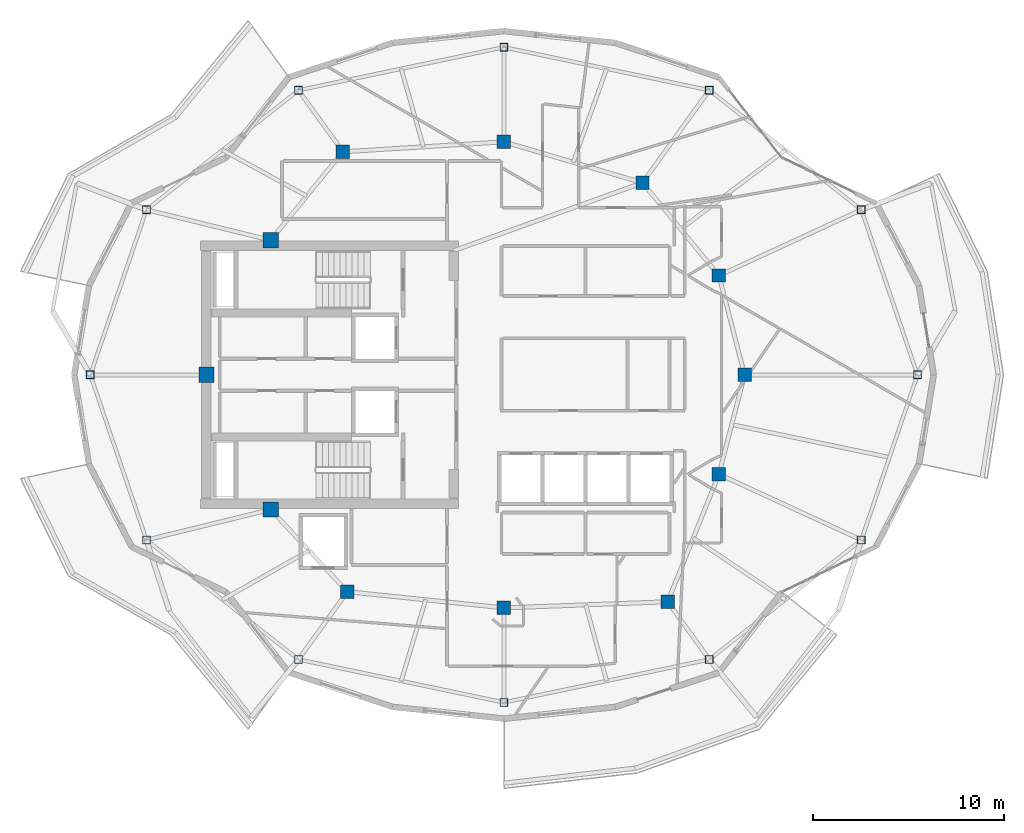
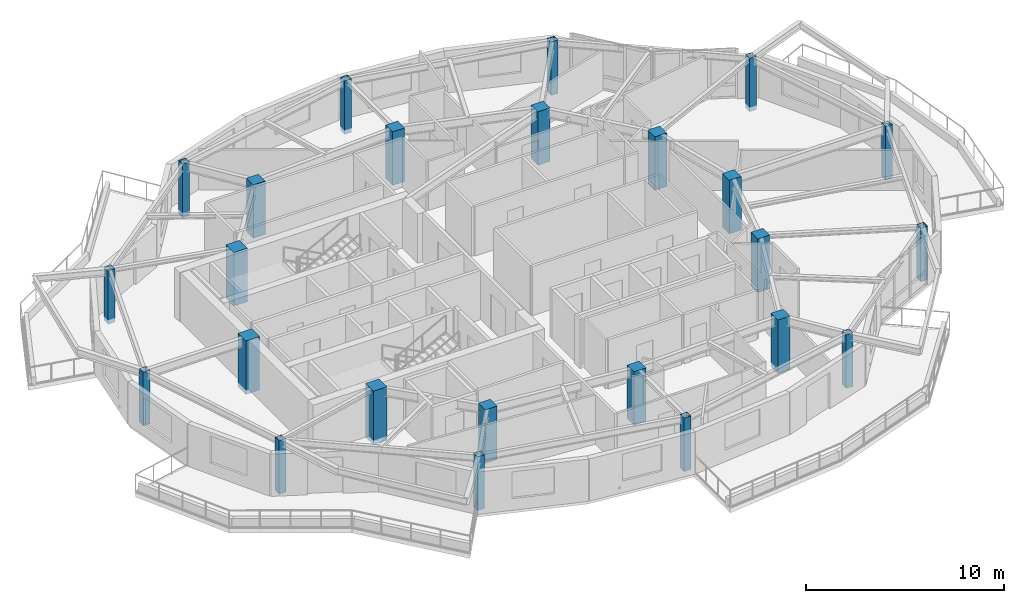
# One storey, part 1 of 14: 24 columns.
"""IFC4 building model written with IfcOpenShell, lengths in metres."""

from ifc_helpers import new_model, si_unit, direction, frame, origin, origin_2d, place, context, subcontext, project, spatial, rectangle, hollow_rectangle, extrude, material, material_profile, profile_set, type_object, element, save


model = new_model("IFC4")

# Units and contexts
model_context = context("Model", 3, precision=1e-05, world=origin(), true_north=direction((0.0, 1.0)))
body_context = subcontext(model_context, "Body", "Model", "MODEL_VIEW")
ifc_project = project(units=[si_unit("LENGTHUNIT", "METRE"), si_unit("AREAUNIT", "SQUARE_METRE"), si_unit("VOLUMEUNIT", "CUBIC_METRE"), si_unit("PLANEANGLEUNIT", "RADIAN"), si_unit("MASSUNIT", "GRAM", prefix="KILO")], contexts=[model_context])

# Site, building, storey
site_placement = place(None, origin())
site = spatial("IfcSite", under=ifc_project, at=site_placement, CompositionType="ELEMENT")
building_placement = place(site_placement, origin())
building = spatial("IfcBuilding", under=site, at=building_placement, Name="Kolvaren Gate Tower and Convention Centre", CompositionType="ELEMENT")
storey_placement = place(building_placement, frame((0.0, 0.0, 239.300048828125)))
storey = spatial("IfcBuildingStorey", under=building, at=storey_placement, Name="L64", CompositionType="ELEMENT", Elevation=239.300048828125)

# Columns
ifc_material_1 = material(Name="Structural steel ASTM A500 Grade C 345 MPa", Category="steel")
ifc_material_profile_1 = material_profile(ifc_material_1, hollow_rectangle(XDim=0.406005859375, YDim=0.406005859375, WallThickness=0.015869140625, at=origin_2d()), Name="HSS406X406X15.9")
ifc_profile_set_1 = profile_set([ifc_material_profile_1], Name="Structural steel ASTM A500 Grade C 345 MPa")
column_type_1 = type_object("IfcColumnType", Name="STR-COL-HSS406", PredefinedType="COLUMN", material=ifc_profile_set_1)
for number, where, z_axis, x_axis, name in (
    (1, (51.77490234375, 27.0, -0.27001953125), (0.0, 0.0, 1.0), (1.0, 0.0, 0.0), "Tower L64 Perimeter Supercolumn TP-01"),
    (2, (48.8388671875, 35.6435546875, -0.27001953125), (0.0, 0.0, 1.0), (1.0, 0.0, 0.0), "Tower L64 Perimeter Supercolumn TP-02"),
    (3, (40.877685546875, 41.899169921875, -0.27001953125), (0.0, 0.0, 1.0), (1.0, 0.0, 0.0), "Tower L64 Perimeter Supercolumn TP-03"),
    (4, (30.125, 44.14990234375, -0.27001953125), (0.0, 0.0, 1.0), (1.0, 0.0, 0.0), "Tower L64 Perimeter Supercolumn TP-04"),
    (5, (19.372314453125, 41.899169921875, -0.27001953125), (0.0, 0.0, 1.0), (1.0, 0.0, 0.0), "Tower L64 Perimeter Supercolumn TP-05"),
    (6, (11.4111328125, 35.6435546875, -0.27001953125), (0.0, 0.0, 1.0), (1.0, 0.0, 0.0), "Tower L64 Perimeter Supercolumn TP-06"),
    (7, (8.47509765625, 27.0, -0.27001953125), (0.0, 0.0, 1.0), (1.0, 0.0, 0.0), "Tower L64 Perimeter Supercolumn TP-07"),
    (8, (11.4111328125, 18.3564453125, -0.27001953125), (0.0, 0.0, 1.0), (1.0, 0.0, 0.0), "Tower L64 Perimeter Supercolumn TP-08"),
    (9, (19.372314453125, 12.100830078125, -0.27001953125), (0.0, 0.0, 1.0), (1.0, 0.0, 0.0), "Tower L64 Perimeter Supercolumn TP-09"),
    (10, (30.125, 9.85009765625, -0.27001953125), (0.0, 0.0, 1.0), (1.0, 0.0, 0.0), "Tower L64 Perimeter Supercolumn TP-10"),
    (11, (40.877685546875, 12.100830078125, -0.27001953125), (0.0, 0.0, 1.0), (1.0, 0.0, 0.0), "Tower L64 Perimeter Supercolumn TP-11"),
    (12, (48.8388671875, 18.3564453125, -0.27001953125), (0.0, 0.0, 1.0), (1.0, 0.0, 0.0), "Tower L64 Perimeter Supercolumn TP-12"),
):
    element("IfcColumn", number, at=place(storey_placement, frame(where, z_axis=z_axis, x_axis=x_axis)), inside=storey, type_object=column_type_1, Name=name, PredefinedType="COLUMN", context=body_context, shape_type="SweptSolid", body=[
        extrude(hollow_rectangle(XDim=0.406005859375, YDim=0.406005859375, WallThickness=0.015869140625, at=origin_2d()), origin(), (0.0, 0.0, 1.0), 3.300048828125),
    ])
ifc_material_2 = material(Name="Concrete C50/60", Category="concrete")
ifc_material_profile_2 = material_profile(ifc_material_2, rectangle(XDim=0.699951171875, YDim=0.699951171875, at=origin_2d()), Name="RC-COL-700X700")
ifc_profile_set_2 = profile_set([ifc_material_profile_2], Name="Concrete C50/60")
column_type_2 = type_object("IfcColumnType", Name="STR-COL-RC700", PredefinedType="COLUMN", material=ifc_profile_set_2)
for number, where, z_axis, x_axis, name in (
    (13, (42.72509765625, 27.0, -0.27001953125), (0.0, 0.0, 1.0), (1.0, 0.0, 0.0), "Tower L64 Interior Column TI-01"),
    (14, (41.382080078125, 32.199462890625, -0.27001953125), (0.0, 0.0, 1.0), (1.0, 0.0, 0.0), "Tower L64 Interior Column TI-02"),
    (15, (37.381591796875, 37.054931640625, -0.27001953125), (0.0, 0.0, 1.0), (1.0, 0.0, 0.0), "Tower L64 Interior Column TI-03"),
    (16, (30.125, 39.199951171875, -0.27001953125), (0.0, 0.0, 1.0), (1.0, 0.0, 0.0), "Tower L64 Interior Column TI-04"),
    (17, (21.697998046875, 38.6767578125, -0.27001953125), (0.0, 0.0, 1.0), (1.0, 0.0, 0.0), "Tower L64 Interior Column TI-05"),
    (18, (21.93212890625, 15.647705078125, -0.27001953125), (0.0, 0.0, 1.0), (1.0, 0.0, 0.0), "Tower L64 Interior Column TI-06"),
    (19, (30.125, 14.800048828125, -0.27001953125), (0.0, 0.0, 1.0), (1.0, 0.0, 0.0), "Tower L64 Interior Column TI-07"),
    (20, (38.6982421875, 15.12060546875, -0.27001953125), (0.0, 0.0, 1.0), (1.0, 0.0, 0.0), "Tower L64 Interior Column TI-08"),
    (21, (41.382080078125, 21.800537109375, -0.27001953125), (0.0, 0.0, 1.0), (1.0, 0.0, 0.0), "Tower L64 Interior Column TI-09"),
):
    element("IfcColumn", number, at=place(storey_placement, frame(where, z_axis=z_axis, x_axis=x_axis)), inside=storey, type_object=column_type_2, Name=name, PredefinedType="COLUMN", context=body_context, shape_type="SweptSolid", body=[
        extrude(rectangle(XDim=0.699951171875, YDim=0.699951171875, at=origin_2d()), origin(), (0.0, 0.0, 1.0), 3.300048828125),
    ])
ifc_material_3 = material(Name="Concrete C60/75", Category="concrete")
ifc_material_profile_3 = material_profile(ifc_material_3, rectangle(XDim=0.800048828125, YDim=0.800048828125, at=origin_2d()), Name="RC-COL-800X800")
ifc_profile_set_3 = profile_set([ifc_material_profile_3], Name="Concrete C60/75")
column_type_3 = type_object("IfcColumnType", Name="STR-PIL-RC800", PredefinedType="PILASTER", material=ifc_profile_set_3)
for number, where, z_axis, x_axis, name in (
    (22, (17.9140625, 34.050048828125, -0.27001953125), (0.0, 0.0, 1.0), (1.0, 0.0, 0.0), "Tower L64 Core Boundary Pilaster TC-05"),
    (23, (14.550048828125, 27.0, -0.27001953125), (0.0, 0.0, 1.0), (1.0, 0.0, 0.0), "Tower L64 Core Boundary Pilaster TC-06"),
    (24, (17.9140625, 19.949951171875, -0.27001953125), (0.0, 0.0, 1.0), (1.0, 0.0, 0.0), "Tower L64 Core Boundary Pilaster TC-07"),
):
    element("IfcColumn", number, at=place(storey_placement, frame(where, z_axis=z_axis, x_axis=x_axis)), inside=storey, type_object=column_type_3, Name=name, PredefinedType="PILASTER", context=body_context, shape_type="SweptSolid", body=[
        extrude(rectangle(XDim=0.800048828125, YDim=0.800048828125, at=origin_2d()), origin(), (0.0, 0.0, 1.0), 3.300048828125),
    ])

save(model, "model.ifc")
